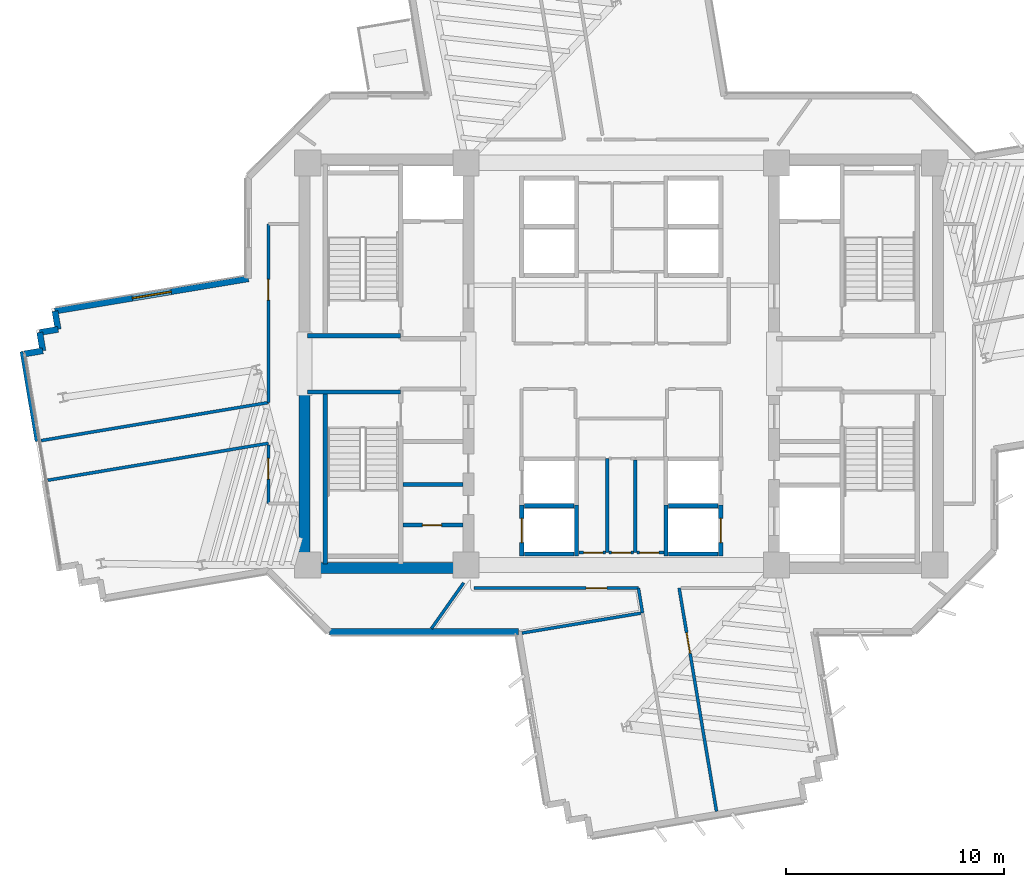
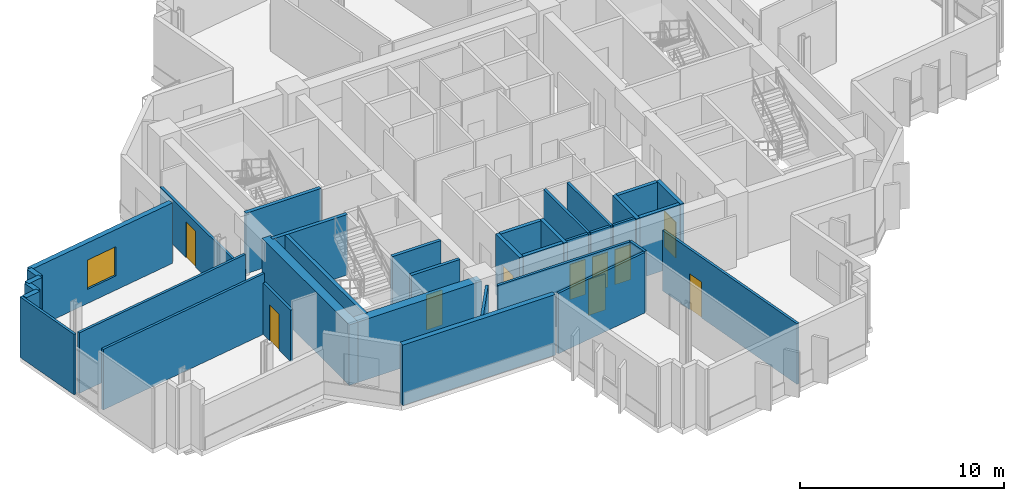
# One storey, part 7 of 15: 36 walls, 10 doors, 1 window, 11 openings.
"""IFC4 building model written with IfcOpenShell, lengths in metres."""

from ifc_helpers import new_model, si_unit, direction, frame, frame_2d, origin, place, context, subcontext, project, spatial, rectangle, extrude, source, transform, mapped, material, layer, layer_set, type_object, element, fill, save


model = new_model("IFC4")

# Units and contexts
model_context = context("Model", 3, precision=1e-05, world=origin(), true_north=direction((0.0, 1.0)))
body_context = subcontext(model_context, "Body", "Model", "MODEL_VIEW")
ifc_project = project(units=[si_unit("LENGTHUNIT", "METRE"), si_unit("AREAUNIT", "SQUARE_METRE"), si_unit("VOLUMEUNIT", "CUBIC_METRE"), si_unit("PLANEANGLEUNIT", "RADIAN"), si_unit("MASSUNIT", "GRAM", prefix="KILO")], contexts=[model_context])

# Site, building, storey
site_placement = place(None, origin())
site = spatial("IfcSite", under=ifc_project, at=site_placement, CompositionType="ELEMENT")
building_placement = place(site_placement, origin())
building = spatial("IfcBuilding", under=site, at=building_placement, Name="Zahravan Cultural Tower", CompositionType="ELEMENT")
storey_placement = place(building_placement, frame((0.0, 0.0, 139.5)))
storey = spatial("IfcBuildingStorey", under=building, at=storey_placement, Name="L31", CompositionType="ELEMENT", Elevation=139.5)

# Wall, opening, window
ifc_material_1 = material(Name="Precast concrete C40/50", Category="concrete")
ifc_layer_1 = layer(ifc_material_1, 0.280029296875)
ifc_layer_set_1 = layer_set([ifc_layer_1], Name="Precast concrete C40/50")
wall_type_1 = type_object("IfcWallType", Name="EW-TC-280", PredefinedType="SOLIDWALL", material=ifc_layer_set_1)
wall_1_placement = place(storey_placement, frame((10.0859375, 29.416015625, 0.0), z_axis=(0.0, 0.0, 1.0), x_axis=(0.98628492446, 0.165051651865, 0.0)))
wall_1 = element("IfcWall", 1, at=wall_1_placement, inside=storey, type_object=wall_type_1, Name="L31 Exterior Masonry Frame Wall 36", PredefinedType="SOLIDWALL", context=body_context, shape_type="SweptSolid", body=[
    extrude(rectangle(XDim=8.97705078125, YDim=0.280029296875, at=frame_2d((4.488525390625, 0.0))), origin(), (0.0, 0.0, 1.0), 3.6201171875),
])
opening_1_placement = place(wall_1_placement, frame((3.589111328125, 0.0, 0.85009765625)))
opening_1 = element("IfcOpeningElement", 2, at=opening_1_placement, cuts=wall_1, Name="Opening WN-02", PredefinedType="OPENING", context=body_context, shape_type="SweptSolid", body=[
    extrude(rectangle(XDim=1.800048828125, YDim=1.75, at=frame_2d((0.89990234375, 0.875))), frame((0.0, 0.14990234375, 0.0), z_axis=(0.0, -1.0, 0.0), x_axis=(1.0, 0.0, 0.0)), (0.0, 0.0, 1.0), 0.300048828125),
])
ifc_material_2 = material(Name="Low-E solar-control double glazing", Category="glass")
window_type = type_object("IfcWindowType", Name="WN-REC-1800X1750", PartitioningType="DOUBLE_PANEL_VERTICAL", PredefinedType="WINDOW", material=ifc_material_2)
shared_shape_1 = source(origin(), body_context, "Body", "SweptSolid", [
    extrude(rectangle(XDim=1.800048828125, YDim=1.75, at=frame_2d((0.89990234375, 0.875))), frame((0.0, 0.030029296875, 0.0), z_axis=(0.0, -1.0, 0.0), x_axis=(1.0, 0.0, 0.0)), (0.0, 0.0, 1.0), 0.06005859375),
])
window_placement = place(opening_1_placement, origin())
window = element("IfcWindow", 3, at=window_placement, inside=storey, type_object=window_type, Name="L31 Recessed Solar Window 07", OverallHeight=1.75, OverallWidth=1.800048828125, PartitioningType="DOUBLE_PANEL_VERTICAL", PredefinedType="WINDOW", context=body_context, shape_type="MappedRepresentation", body=[
    mapped(shared_shape_1, transform((0.0, 0.0, 0.0), x_axis=(1.0, 0.0, 0.0), y_axis=(0.0, 1.0, 0.0), z_axis=(0.0, 0.0, 1.0), scale=1.0)),
])
fill(opening_1, window)

# Wall, opening, door
ifc_material_3 = material(Name="Gypsum plasterboard partition")
ifc_layer_2 = layer(ifc_material_3, 0.179931640625)
ifc_layer_set_2 = layer_set([ifc_layer_2], Name="Gypsum plasterboard partition")
wall_type_2 = type_object("IfcWallType", Name="W-COMP-180", PredefinedType="PARTITIONING", material=ifc_layer_set_2)
wall_2_placement = place(storey_placement, frame((26.0, 19.6201171875, 0.0), z_axis=(0.0, 0.0, 1.0), x_axis=(1.0, 0.0, 0.0)))
wall_2 = element("IfcWall", 4, at=wall_2_placement, inside=storey, type_object=wall_type_2, Name="L31 Interior Wall 026", PredefinedType="PARTITIONING", context=body_context, shape_type="SweptSolid", body=[
    extrude(rectangle(XDim=2.75, YDim=0.179931640625, at=frame_2d((1.375, 0.0))), origin(), (0.0, 0.0, 1.0), 3.6201171875),
])
opening_2_placement = place(wall_2_placement, frame((0.89990234375, 0.0, 0.0)))
opening_2 = element("IfcOpeningElement", 5, at=opening_2_placement, cuts=wall_2, Name="Opening D-L31-09", PredefinedType="OPENING", context=body_context, shape_type="SweptSolid", body=[
    extrude(rectangle(XDim=0.8798828125, YDim=2.10009765625, at=frame_2d((0.43994140625, 1.050048828125))), frame((0.0, 0.099853515625, 0.0), z_axis=(0.0, -1.0, 0.0), x_axis=(1.0, 0.0, 0.0)), (0.0, 0.0, 1.0), 0.199951171875),
])
ifc_material_4 = material(Name="Steel ASTM A572 Grade 50", Category="steel")
door_type_1 = type_object("IfcDoorType", Name="DR-SVC-880", OperationType="NOTDEFINED", PredefinedType="DOOR", material=ifc_material_4)
shared_shape_2 = source(origin(), body_context, "Body", "SweptSolid", [
    extrude(rectangle(XDim=0.8798828125, YDim=2.10009765625, at=frame_2d((0.43994140625, 1.050048828125))), frame((0.0, 0.02490234375, 0.0), z_axis=(0.0, -1.0, 0.0), x_axis=(1.0, 0.0, 0.0)), (0.0, 0.0, 1.0), 0.050048828125),
])
door_1_placement = place(opening_2_placement, origin())
door_1 = element("IfcDoor", 6, at=door_1_placement, inside=storey, type_object=door_type_1, Name="L31 Door D-L31-09", OperationType="SINGLE_SWING_LEFT", OverallHeight=2.10009765625, OverallWidth=0.8798828125, PredefinedType="DOOR", context=body_context, shape_type="MappedRepresentation", body=[
    mapped(shared_shape_2, transform((0.0, 0.0, 0.0), x_axis=(1.0, 0.0, 0.0), y_axis=(0.0, 1.0, 0.0), z_axis=(0.0, 0.0, 1.0), scale=1.0)),
])
fill(opening_2, door_1)

ifc_layer_3 = layer(ifc_material_3, 0.139892578125)
ifc_layer_set_3 = layer_set([ifc_layer_3], Name="Gypsum plasterboard partition")
wall_type_3 = type_object("IfcWallType", Name="W-PART-140", PredefinedType="PARTITIONING", material=ifc_layer_set_3)
wall_3_placement = place(storey_placement, frame((36.56494140625, 18.360107421875, 0.0), z_axis=(0.0, 0.0, 1.0), x_axis=(-1.0, 0.0, 0.0)))
wall_3 = element("IfcWall", 7, at=wall_3_placement, inside=storey, type_object=wall_type_3, Name="L31 Interior Wall 065", PredefinedType="PARTITIONING", context=body_context, shape_type="SweptSolid", body=[
    extrude(rectangle(XDim=1.1298828125, YDim=0.139892578125, at=frame_2d((0.56494140625, 0.0))), origin(), (0.0, 0.0, 1.0), 3.6201171875),
])
opening_3_placement = place(wall_3_placement, frame((0.125, 0.0, 0.0)))
opening_3 = element("IfcOpeningElement", 8, at=opening_3_placement, cuts=wall_3, Name="Opening D-L31-21", PredefinedType="OPENING", context=body_context, shape_type="SweptSolid", body=[
    extrude(rectangle(XDim=0.8798828125, YDim=2.10009765625, at=frame_2d((0.43994140625, 1.050048828125))), frame((0.0, 0.079833984375, 0.0), z_axis=(0.0, -1.0, 0.0), x_axis=(1.0, 0.0, 0.0)), (0.0, 0.0, 1.0), 0.159912109375),
])
ifc_material_5 = material(Name="Anodised bronze-aluminium mullion", Category="aluminium")
door_type_2 = type_object("IfcDoorType", Name="DR-ROOM-880", OperationType="NOTDEFINED", PredefinedType="DOOR", material=ifc_material_5)
door_2_placement = place(opening_3_placement, origin())
door_2 = element("IfcDoor", 9, at=door_2_placement, inside=storey, type_object=door_type_2, Name="L31 Door D-L31-21", OperationType="SINGLE_SWING_LEFT", OverallHeight=2.10009765625, OverallWidth=0.8798828125, PredefinedType="DOOR", context=body_context, shape_type="MappedRepresentation", body=[
    mapped(shared_shape_2, transform((0.0, 0.0, 0.0), x_axis=(1.0, 0.0, 0.0), y_axis=(0.0, 1.0, 0.0), z_axis=(0.0, 0.0, 1.0), scale=1.0)),
])
fill(opening_3, door_2)

wall_4_placement = place(storey_placement, frame((35.284912109375, 18.360107421875, 0.0), z_axis=(0.0, 0.0, 1.0), x_axis=(-1.0, 0.0, 0.0)))
wall_4 = element("IfcWall", 10, at=wall_4_placement, inside=storey, type_object=wall_type_3, Name="L31 Interior Wall 067", PredefinedType="PARTITIONING", context=body_context, shape_type="SweptSolid", body=[
    extrude(rectangle(XDim=1.22998046875, YDim=0.139892578125, at=frame_2d((0.614990234375, 0.0))), origin(), (0.0, 0.0, 1.0), 3.6201171875),
])
opening_4_placement = place(wall_4_placement, frame((0.12255859375, 0.0, 0.0)))
opening_4 = element("IfcOpeningElement", 11, at=opening_4_placement, cuts=wall_4, Name="Opening D-L31-20", PredefinedType="OPENING", context=body_context, shape_type="SweptSolid", body=[
    extrude(rectangle(XDim=0.8798828125, YDim=2.10009765625, at=frame_2d((0.43994140625, 1.050048828125))), frame((0.0, 0.079833984375, 0.0), z_axis=(0.0, -1.0, 0.0), x_axis=(1.0, 0.0, 0.0)), (0.0, 0.0, 1.0), 0.159912109375),
])
door_3_placement = place(opening_4_placement, origin())
door_3 = element("IfcDoor", 12, at=door_3_placement, inside=storey, type_object=door_type_2, Name="L31 Door D-L31-20", OperationType="SINGLE_SWING_RIGHT", OverallHeight=2.10009765625, OverallWidth=0.8798828125, PredefinedType="DOOR", context=body_context, shape_type="MappedRepresentation", body=[
    mapped(shared_shape_2, transform((0.0, 0.0, 0.0), x_axis=(1.0, 0.0, 0.0), y_axis=(0.0, 1.0, 0.0), z_axis=(0.0, 0.0, 1.0), scale=1.0)),
])
fill(opening_4, door_3)

wall_5_placement = place(storey_placement, frame((37.945068359375, 18.360107421875, 0.0), z_axis=(0.0, 0.0, 1.0), x_axis=(-1.0, 0.0, 0.0)))
wall_5 = element("IfcWall", 13, at=wall_5_placement, inside=storey, type_object=wall_type_3, Name="L31 Interior Wall 069", PredefinedType="PARTITIONING", context=body_context, shape_type="SweptSolid", body=[
    extrude(rectangle(XDim=1.22998046875, YDim=0.139892578125, at=frame_2d((0.614990234375, 0.0))), origin(), (0.0, 0.0, 1.0), 3.6201171875),
])
opening_5_placement = place(wall_5_placement, frame((0.2275390625, 0.0, 0.0)))
opening_5 = element("IfcOpeningElement", 14, at=opening_5_placement, cuts=wall_5, Name="Opening D-L31-22", PredefinedType="OPENING", context=body_context, shape_type="SweptSolid", body=[
    extrude(rectangle(XDim=0.8798828125, YDim=2.10009765625, at=frame_2d((0.43994140625, 1.050048828125))), frame((0.0, 0.079833984375, 0.0), z_axis=(0.0, -1.0, 0.0), x_axis=(1.0, 0.0, 0.0)), (0.0, 0.0, 1.0), 0.159912109375),
])
door_4_placement = place(opening_5_placement, origin())
door_4 = element("IfcDoor", 15, at=door_4_placement, inside=storey, type_object=door_type_2, Name="L31 Door D-L31-22", OperationType="SINGLE_SWING_RIGHT", OverallHeight=2.10009765625, OverallWidth=0.8798828125, PredefinedType="DOOR", context=body_context, shape_type="MappedRepresentation", body=[
    mapped(shared_shape_2, transform((0.0, 0.0, 0.0), x_axis=(1.0, 0.0, 0.0), y_axis=(0.0, 1.0, 0.0), z_axis=(0.0, 0.0, 1.0), scale=1.0)),
])
fill(opening_5, door_4)

wall_6_placement = place(storey_placement, frame((29.257568359375, 16.740234375, 0.0), z_axis=(0.0, 0.0, 1.0), x_axis=(0.999999999474, -3.2436991e-05, 0.0)))
wall_6 = element("IfcWall", 16, at=wall_6_placement, inside=storey, type_object=wall_type_3, Name="L31 Interior Wall 088", PredefinedType="PARTITIONING", context=body_context, shape_type="SweptSolid", body=[
    extrude(rectangle(XDim=7.526611328125, YDim=0.139892578125, at=frame_2d((3.76318359375, 0.0))), origin(), (0.0, 0.0, 1.0), 3.6201171875),
])
opening_6_placement = place(wall_6_placement, frame((5.129638671875, 0.0, 0.0)))
opening_6 = element("IfcOpeningElement", 17, at=opening_6_placement, cuts=wall_6, Name="Opening D-L31-27", PredefinedType="OPENING", context=body_context, shape_type="SweptSolid", body=[
    extrude(rectangle(XDim=0.949951171875, YDim=2.14990234375, at=frame_2d((0.47509765625, 1.074951171875))), frame((0.0, 0.079833984375, 0.0), z_axis=(0.0, -1.0, 0.0), x_axis=(1.0, 0.0, 0.0)), (0.0, 0.0, 1.0), 0.159912109375),
])
door_type_3 = type_object("IfcDoorType", Name="DR-ROOM-950", OperationType="NOTDEFINED", PredefinedType="DOOR", material=ifc_material_5)
shared_shape_3 = source(origin(), body_context, "Body", "SweptSolid", [
    extrude(rectangle(XDim=0.949951171875, YDim=2.14990234375, at=frame_2d((0.47509765625, 1.074951171875))), frame((0.0, 0.02490234375, 0.0), z_axis=(0.0, -1.0, 0.0), x_axis=(1.0, 0.0, 0.0)), (0.0, 0.0, 1.0), 0.050048828125),
])
door_5_placement = place(opening_6_placement, origin())
door_5 = element("IfcDoor", 18, at=door_5_placement, inside=storey, type_object=door_type_3, Name="L31 Door D-L31-27", OperationType="SINGLE_SWING_LEFT", OverallHeight=2.14990234375, OverallWidth=0.949951171875, PredefinedType="DOOR", context=body_context, shape_type="MappedRepresentation", body=[
    mapped(shared_shape_3, transform((0.0, 0.0, 0.0), x_axis=(1.0, 0.0, 0.0), y_axis=(0.0, 1.0, 0.0), z_axis=(0.0, 0.0, 1.0), scale=1.0)),
])
fill(opening_6, door_5)

wall_7_placement = place(storey_placement, frame((19.853759765625, 33.3994140625, 0.0), z_axis=(0.0, 0.0, 1.0), x_axis=(-0.000448283031, -0.999999899521, 0.0)))
wall_7 = element("IfcWall", 19, at=wall_7_placement, inside=storey, type_object=wall_type_3, Name="L31 Interior Wall 093", PredefinedType="PARTITIONING", context=body_context, shape_type="SweptSolid", body=[
    extrude(rectangle(XDim=8.169189453125, YDim=0.139892578125, at=frame_2d((4.08447265625, 0.0))), origin(), (0.0, 0.0, 1.0), 2.693115234375),
])
opening_7_placement = place(wall_7_placement, frame((2.52685546875, 0.0, 0.0)))
opening_7 = element("IfcOpeningElement", 20, at=opening_7_placement, cuts=wall_7, Name="Opening D-L31-25", PredefinedType="OPENING", context=body_context, shape_type="SweptSolid", body=[
    extrude(rectangle(XDim=0.949951171875, YDim=2.14990234375, at=frame_2d((0.47509765625, 1.074951171875))), frame((0.0, 0.079833984375, 0.0), z_axis=(0.0, -1.0, 0.0), x_axis=(1.0, 0.0, 0.0)), (0.0, 0.0, 1.0), 0.159912109375),
])
door_6_placement = place(opening_7_placement, origin())
door_6 = element("IfcDoor", 21, at=door_6_placement, inside=storey, type_object=door_type_3, Name="L31 Door D-L31-25", OperationType="SINGLE_SWING_LEFT", OverallHeight=2.14990234375, OverallWidth=0.949951171875, PredefinedType="DOOR", context=body_context, shape_type="MappedRepresentation", body=[
    mapped(shared_shape_3, transform((0.0, 0.0, 0.0), x_axis=(1.0, 0.0, 0.0), y_axis=(0.0, 1.0, 0.0), z_axis=(0.0, 0.0, 1.0), scale=1.0)),
])
fill(opening_7, door_6)

wall_8_placement = place(storey_placement, frame((40.359375, 6.523681640625, 0.0), z_axis=(0.0, 0.0, 1.0), x_axis=(-0.165056345303, 0.986284139016, 0.0)))
wall_8 = element("IfcWall", 22, at=wall_8_placement, inside=storey, type_object=wall_type_3, Name="L31 Interior Wall 098", PredefinedType="PARTITIONING", context=body_context, shape_type="SweptSolid", body=[
    extrude(rectangle(XDim=10.3583984375, YDim=0.139892578125, at=frame_2d((5.17919921875, 0.0))), origin(), (0.0, 0.0, 1.0), 3.6201171875),
])
opening_8_placement = place(wall_8_placement, frame((7.33837890625, 0.0, 0.0)))
opening_8 = element("IfcOpeningElement", 23, at=opening_8_placement, cuts=wall_8, Name="Opening D-L31-29", PredefinedType="OPENING", context=body_context, shape_type="SweptSolid", body=[
    extrude(rectangle(XDim=0.949951171875, YDim=2.14990234375, at=frame_2d((0.47509765625, 1.074951171875))), frame((0.0, 0.079833984375, 0.0), z_axis=(0.0, -1.0, 0.0), x_axis=(1.0, 0.0, 0.0)), (0.0, 0.0, 1.0), 0.159912109375),
])
door_7_placement = place(opening_8_placement, origin())
door_7 = element("IfcDoor", 24, at=door_7_placement, inside=storey, type_object=door_type_3, Name="L31 Door D-L31-29", OperationType="SINGLE_SWING_LEFT", OverallHeight=2.14990234375, OverallWidth=0.949951171875, PredefinedType="DOOR", context=body_context, shape_type="MappedRepresentation", body=[
    mapped(shared_shape_3, transform((0.0, 0.0, 0.0), x_axis=(1.0, 0.0, 0.0), y_axis=(0.0, 1.0, 0.0), z_axis=(0.0, 0.0, 1.0), scale=1.0)),
])
fill(opening_8, door_7)

wall_9_placement = place(storey_placement, frame((19.85009765625, 23.28857421875, 0.0), z_axis=(0.0, 0.0, 1.0), x_axis=(0.000363372069, -0.99999993398, 0.0)))
wall_9 = element("IfcWall", 25, at=wall_9_placement, inside=storey, type_object=wall_type_3, Name="L31 Interior Wall 103", PredefinedType="PARTITIONING", context=body_context, shape_type="SweptSolid", body=[
    extrude(rectangle(XDim=2.6875, YDim=0.139892578125, at=frame_2d((1.34375, 0.0))), origin(), (0.0, 0.0, 1.0), 3.0791015625),
])
opening_9_placement = place(wall_9_placement, frame((0.608154296875, 0.0, 0.0)))
opening_9 = element("IfcOpeningElement", 26, at=opening_9_placement, cuts=wall_9, Name="Opening D-L31-26", PredefinedType="OPENING", context=body_context, shape_type="SweptSolid", body=[
    extrude(rectangle(XDim=0.949951171875, YDim=2.14990234375, at=frame_2d((0.47509765625, 1.074951171875))), frame((0.0, 0.079833984375, 0.0), z_axis=(0.0, -1.0, 0.0), x_axis=(1.0, 0.0, 0.0)), (0.0, 0.0, 1.0), 0.159912109375),
])
door_8_placement = place(opening_9_placement, origin())
door_8 = element("IfcDoor", 27, at=door_8_placement, inside=storey, type_object=door_type_3, Name="L31 Door D-L31-26", OperationType="SINGLE_SWING_RIGHT", OverallHeight=2.14990234375, OverallWidth=0.949951171875, PredefinedType="DOOR", context=body_context, shape_type="MappedRepresentation", body=[
    mapped(shared_shape_3, transform((0.0, 0.0, 0.0), x_axis=(1.0, 0.0, 0.0), y_axis=(0.0, 1.0, 0.0), z_axis=(0.0, 0.0, 1.0), scale=1.0)),
])
fill(opening_9, door_8)

ifc_material_6 = material(Name="Concrete C45/55", Category="concrete")
ifc_layer_4 = layer(ifc_material_6, 0.199951171875)
ifc_layer_set_4 = layer_set([ifc_layer_4], Name="Concrete C45/55")
wall_type_4 = type_object("IfcWallType", Name="W-SHAFT-200", PredefinedType="SOLIDWALL", material=ifc_layer_set_4)
wall_10_placement = place(storey_placement, frame((31.449951171875, 18.199951171875, 0.0), z_axis=(0.0, 0.0, 1.0), x_axis=(0.0, 1.0, 0.0)))
wall_10 = element("IfcWall", 28, at=wall_10_placement, inside=storey, type_object=wall_type_4, Name="L31 Interior Wall 047", PredefinedType="SOLIDWALL", context=body_context, shape_type="SweptSolid", body=[
    extrude(rectangle(XDim=2.35009765625, YDim=0.199951171875, at=frame_2d((1.175048828125, 0.0))), origin(), (0.0, 0.0, 1.0), 3.6201171875),
])
opening_10_placement = place(wall_10_placement, frame((0.625, 0.0, 0.0)))
opening_10 = element("IfcOpeningElement", 29, at=opening_10_placement, cuts=wall_10, Name="Opening LD-L31-05", PredefinedType="OPENING", context=body_context, shape_type="SweptSolid", body=[
    extrude(rectangle(XDim=1.10009765625, YDim=2.14990234375, at=frame_2d((0.550048828125, 1.074951171875))), frame((0.0, 0.10986328125, 0.0), z_axis=(0.0, -1.0, 0.0), x_axis=(1.0, 0.0, 0.0)), (0.0, 0.0, 1.0), 0.219970703125),
])
door_type_4 = type_object("IfcDoorType", Name="DR-LIFT-1100", OperationType="DOUBLE_DOOR_SLIDING", PredefinedType="DOOR", material=ifc_material_4)
shared_shape_4 = source(origin(), body_context, "Body", "SweptSolid", [
    extrude(rectangle(XDim=1.10009765625, YDim=2.14990234375, at=frame_2d((0.550048828125, 1.074951171875))), frame((0.0, 0.02490234375, 0.0), z_axis=(0.0, -1.0, 0.0), x_axis=(1.0, 0.0, 0.0)), (0.0, 0.0, 1.0), 0.050048828125),
])
door_9_placement = place(opening_10_placement, origin())
door_9 = element("IfcDoor", 30, at=door_9_placement, inside=storey, type_object=door_type_4, Name="L31 Door LD-L31-05", OperationType="DOUBLE_DOOR_SLIDING", OverallHeight=2.14990234375, OverallWidth=1.10009765625, PredefinedType="DOOR", context=body_context, shape_type="MappedRepresentation", body=[
    mapped(shared_shape_4, transform((0.0, 0.0, 0.0), x_axis=(1.0, 0.0, 0.0), y_axis=(0.0, 1.0, 0.0), z_axis=(0.0, 0.0, 1.0), scale=1.0)),
])
fill(opening_10, door_9)

wall_11_placement = place(storey_placement, frame((40.550048828125, 18.199951171875, 0.0), z_axis=(0.0, 0.0, 1.0), x_axis=(0.0, 1.0, 0.0)))
wall_11 = element("IfcWall", 31, at=wall_11_placement, inside=storey, type_object=wall_type_4, Name="L31 Interior Wall 055", PredefinedType="SOLIDWALL", context=body_context, shape_type="SweptSolid", body=[
    extrude(rectangle(XDim=2.35009765625, YDim=0.199951171875, at=frame_2d((1.175048828125, 0.0))), origin(), (0.0, 0.0, 1.0), 3.6201171875),
])
opening_11_placement = place(wall_11_placement, frame((0.625, 0.0, 0.0)))
opening_11 = element("IfcOpeningElement", 32, at=opening_11_placement, cuts=wall_11, Name="Opening LD-L31-07", PredefinedType="OPENING", context=body_context, shape_type="SweptSolid", body=[
    extrude(rectangle(XDim=1.10009765625, YDim=2.14990234375, at=frame_2d((0.550048828125, 1.074951171875))), frame((0.0, 0.10986328125, 0.0), z_axis=(0.0, -1.0, 0.0), x_axis=(1.0, 0.0, 0.0)), (0.0, 0.0, 1.0), 0.219970703125),
])
door_10_placement = place(opening_11_placement, origin())
door_10 = element("IfcDoor", 33, at=door_10_placement, inside=storey, type_object=door_type_4, Name="L31 Door LD-L31-07", OperationType="DOUBLE_DOOR_SLIDING", OverallHeight=2.14990234375, OverallWidth=1.10009765625, PredefinedType="DOOR", context=body_context, shape_type="MappedRepresentation", body=[
    mapped(shared_shape_4, transform((0.0, 0.0, 0.0), x_axis=(1.0, 0.0, 0.0), y_axis=(0.0, 1.0, 0.0), z_axis=(0.0, 0.0, 1.0), scale=1.0)),
])
fill(opening_11, door_10)

# Walls
ifc_material_7 = material(Name="Concrete C60/75", Category="concrete")
ifc_layer_5 = layer(ifc_material_7, 0.5)
ifc_layer_set_5 = layer_set([ifc_layer_5], Name="Concrete C60/75")
wall_type_5 = type_object("IfcWallType", Name="CW-SHEAR-500-C60", PredefinedType="SHEAR", material=ifc_layer_set_5)
shared_shape_5 = source(origin(), body_context, "Body", "SweptSolid", [
    extrude(rectangle(XDim=8.550048828125, YDim=0.5, at=frame_2d((4.27490234375, 0.0))), origin(), (0.0, 0.0, 1.0), 3.6201171875),
])
wall_12_placement = place(storey_placement, frame((21.5, 17.39990234375, 0.0), z_axis=(0.0, 0.0, 1.0), x_axis=(0.0, 1.0, 0.0)))
element("IfcWall", 34, at=wall_12_placement, inside=storey, type_object=wall_type_5, Name="L31 Core Shear Wall CW-W-WS-L31", PredefinedType="SHEAR", context=body_context, shape_type="MappedRepresentation", body=[
    mapped(shared_shape_5, transform((0.0, 0.0, 0.0), x_axis=(1.0, 0.0, 0.0), y_axis=(0.0, 1.0, 0.0), z_axis=(0.0, 0.0, 1.0), scale=1.0)),
])
shared_shape_6 = source(origin(), body_context, "Body", "SweptSolid", [
    extrude(rectangle(XDim=7.0, YDim=0.5, at=frame_2d((3.5, 0.0))), origin(), (0.0, 0.0, 1.0), 3.6201171875),
])
wall_13_placement = place(storey_placement, frame((21.75, 17.64990234375, 0.0), z_axis=(0.0, 0.0, 1.0), x_axis=(1.0, 0.0, 0.0)))
element("IfcWall", 35, at=wall_13_placement, inside=storey, type_object=wall_type_5, Name="L31 Core Shear Wall CW-W-S-L31", PredefinedType="SHEAR", context=body_context, shape_type="MappedRepresentation", body=[
    mapped(shared_shape_6, transform((0.0, 0.0, 0.0), x_axis=(1.0, 0.0, 0.0), y_axis=(0.0, 1.0, 0.0), z_axis=(0.0, 0.0, 1.0), scale=1.0)),
])
shared_shape_7 = source(origin(), body_context, "Body", "SweptSolid", [
    extrude(rectangle(XDim=0.85009765625, YDim=0.280029296875, at=frame_2d((0.425048828125, 0.0))), origin(), (0.0, 0.0, 1.0), 3.6201171875),
])
for number, where, z_axis, x_axis, name in (
    (36, (8.689697265625, 27.458740234375, 0.0), (0.0, 0.0, 1.0), (0.986269444653, 0.16514412658, 0.0), "L31 Exterior Masonry Frame Wall 32"),
    (37, (9.528076171875, 27.59912109375, 0.0), (0.0, 0.0, 1.0), (-0.16514412658, 0.986269444653, 0.0), "L31 Exterior Masonry Frame Wall 33"),
    (38, (9.3876953125, 28.4375, 0.0), (0.0, 0.0, 1.0), (0.986316186628, 0.164864732418, 0.0), "L31 Exterior Masonry Frame Wall 34"),
    (39, (10.22607421875, 28.57763671875, 0.0), (0.0, 0.0, 1.0), (-0.164864732418, 0.986316186628, 0.0), "L31 Exterior Masonry Frame Wall 35"),
):
    element("IfcWall", number, at=place(storey_placement, frame(where, z_axis=z_axis, x_axis=x_axis)), inside=storey, type_object=wall_type_1, Name=name, PredefinedType="SOLIDWALL", context=body_context, shape_type="MappedRepresentation", body=[
        mapped(shared_shape_7, transform((0.0, 0.0, 0.0), x_axis=(1.0, 0.0, 0.0), y_axis=(0.0, 1.0, 0.0), z_axis=(0.0, 0.0, 1.0), scale=1.0)),
    ])
shared_shape_8 = source(origin(), body_context, "Body", "SweptSolid", [
    extrude(rectangle(XDim=8.64111328125, YDim=0.280029296875, at=frame_2d((4.320556640625, 0.0))), origin(), (0.0, 0.0, 1.0), 3.6201171875),
])
wall_14_placement = place(storey_placement, frame((31.299072265625, 14.739990234375, 0.0), z_axis=(0.0, 0.0, 1.0), x_axis=(-1.0, 0.0, 0.0)))
element("IfcWall", 40, at=wall_14_placement, inside=storey, type_object=wall_type_1, Name="L31 Exterior Masonry Frame Wall 25", PredefinedType="SOLIDWALL", context=body_context, shape_type="MappedRepresentation", body=[
    mapped(shared_shape_8, transform((0.0, 0.0, 0.0), x_axis=(1.0, 0.0, 0.0), y_axis=(0.0, 1.0, 0.0), z_axis=(0.0, 0.0, 1.0), scale=1.0)),
])
shared_shape_9 = source(origin(), body_context, "Body", "SweptSolid", [
    extrude(rectangle(XDim=7.869873046875, YDim=0.199951171875, at=frame_2d((3.93505859375, 0.0))), origin(), (0.0, 0.0, 1.0), 3.6201171875),
])
wall_15_placement = place(storey_placement, frame((22.449951171875, 17.85009765625, 0.0), z_axis=(0.0, 0.0, 1.0), x_axis=(0.0, 1.0, 0.0)))
element("IfcWall", 41, at=wall_15_placement, inside=storey, type_object=wall_type_4, Name="L31 Interior Wall 001", PredefinedType="SOLIDWALL", context=body_context, shape_type="MappedRepresentation", body=[
    mapped(shared_shape_9, transform((0.0, 0.0, 0.0), x_axis=(1.0, 0.0, 0.0), y_axis=(0.0, 1.0, 0.0), z_axis=(0.0, 0.0, 1.0), scale=1.0)),
])
shared_shape_10 = source(origin(), body_context, "Body", "SweptSolid", [
    extrude(rectangle(XDim=4.25, YDim=0.199951171875, at=frame_2d((2.125, 0.0))), origin(), (0.0, 0.0, 1.0), 3.6201171875),
])
for number, where, z_axis, x_axis, name in (
    (42, (21.64990234375, 25.715087890625, 0.0), (0.0, 0.0, 1.0), (1.0, 0.0, 0.0), "L31 Interior Wall 009"),
    (43, (21.64990234375, 28.284912109375, 0.0), (0.0, 0.0, 1.0), (1.0, 0.0, 0.0), "L31 Interior Wall 011"),
):
    element("IfcWall", number, at=place(storey_placement, frame(where, z_axis=z_axis, x_axis=x_axis)), inside=storey, type_object=wall_type_4, Name=name, PredefinedType="SOLIDWALL", context=body_context, shape_type="MappedRepresentation", body=[
        mapped(shared_shape_10, transform((0.0, 0.0, 0.0), x_axis=(1.0, 0.0, 0.0), y_axis=(0.0, 1.0, 0.0), z_axis=(0.0, 0.0, 1.0), scale=1.0)),
    ])
shared_shape_11 = source(origin(), body_context, "Body", "SweptSolid", [
    extrude(rectangle(XDim=2.75, YDim=0.179931640625, at=frame_2d((1.375, 0.0))), origin(), (0.0, 0.0, 1.0), 3.6201171875),
])
wall_16_placement = place(storey_placement, frame((26.0, 21.47998046875, 0.0), z_axis=(0.0, 0.0, 1.0), x_axis=(1.0, 0.0, 0.0)))
element("IfcWall", 44, at=wall_16_placement, inside=storey, type_object=wall_type_2, Name="L31 Interior Wall 027", PredefinedType="PARTITIONING", context=body_context, shape_type="MappedRepresentation", body=[
    mapped(shared_shape_11, transform((0.0, 0.0, 0.0), x_axis=(1.0, 0.0, 0.0), y_axis=(0.0, 1.0, 0.0), z_axis=(0.0, 0.0, 1.0), scale=1.0)),
])
shared_shape_12 = source(origin(), body_context, "Body", "SweptSolid", [
    extrude(rectangle(XDim=2.260009765625, YDim=0.199951171875, at=frame_2d((1.1298828125, 0.0))), origin(), (0.0, 0.0, 1.0), 3.6201171875),
])
for number, where, z_axis, x_axis, name in (
    (45, (31.570068359375, 20.5, 0.0), (0.0, 0.0, 1.0), (1.0, 0.0, 0.0), "L31 Interior Wall 045"),
    (46, (31.570068359375, 18.300048828125, 0.0), (0.0, 0.0, 1.0), (1.0, 0.0, 0.0), "L31 Interior Wall 049"),
    (47, (38.169921875, 20.5, 0.0), (0.0, 0.0, 1.0), (1.0, 0.0, 0.0), "L31 Interior Wall 052"),
    (48, (38.169921875, 18.300048828125, 0.0), (0.0, 0.0, 1.0), (1.0, 0.0, 0.0), "L31 Interior Wall 056"),
):
    element("IfcWall", number, at=place(storey_placement, frame(where, z_axis=z_axis, x_axis=x_axis)), inside=storey, type_object=wall_type_4, Name=name, PredefinedType="SOLIDWALL", context=body_context, shape_type="MappedRepresentation", body=[
        mapped(shared_shape_12, transform((0.0, 0.0, 0.0), x_axis=(1.0, 0.0, 0.0), y_axis=(0.0, 1.0, 0.0), z_axis=(0.0, 0.0, 1.0), scale=1.0)),
    ])
shared_shape_13 = source(origin(), body_context, "Body", "SweptSolid", [
    extrude(rectangle(XDim=2.35009765625, YDim=0.199951171875, at=frame_2d((1.175048828125, 0.0))), origin(), (0.0, 0.0, 1.0), 3.6201171875),
])
for number, where, z_axis, x_axis, name in (
    (49, (33.949951171875, 18.199951171875, 0.0), (0.0, 0.0, 1.0), (0.0, 1.0, 0.0), "L31 Interior Wall 048"),
    (50, (38.050048828125, 18.199951171875, 0.0), (0.0, 0.0, 1.0), (0.0, 1.0, 0.0), "L31 Interior Wall 054"),
):
    element("IfcWall", number, at=place(storey_placement, frame(where, z_axis=z_axis, x_axis=x_axis)), inside=storey, type_object=wall_type_4, Name=name, PredefinedType="SOLIDWALL", context=body_context, shape_type="MappedRepresentation", body=[
        mapped(shared_shape_13, transform((0.0, 0.0, 0.0), x_axis=(1.0, 0.0, 0.0), y_axis=(0.0, 1.0, 0.0), z_axis=(0.0, 0.0, 1.0), scale=1.0)),
    ])
shared_shape_14 = source(origin(), body_context, "Body", "SweptSolid", [
    extrude(rectangle(XDim=4.31982421875, YDim=0.139892578125, at=frame_2d((2.159912109375, 0.0))), origin(), (0.0, 0.0, 1.0), 3.6201171875),
])
wall_17_placement = place(storey_placement, frame((35.360107421875, 18.360107421875, 0.0), z_axis=(0.0, 0.0, 1.0), x_axis=(0.0, 1.0, 0.0)))
element("IfcWall", 51, at=wall_17_placement, inside=storey, type_object=wall_type_3, Name="L31 Interior Wall 062", PredefinedType="PARTITIONING", context=body_context, shape_type="MappedRepresentation", body=[
    mapped(shared_shape_14, transform((0.0, 0.0, 0.0), x_axis=(1.0, 0.0, 0.0), y_axis=(0.0, 1.0, 0.0), z_axis=(0.0, 0.0, 1.0), scale=1.0)),
])
shared_shape_15 = source(origin(), body_context, "Body", "SweptSolid", [
    extrude(rectangle(XDim=4.244873046875, YDim=0.139892578125, at=frame_2d((2.12255859375, 0.0))), origin(), (0.0, 0.0, 1.0), 3.6201171875),
])
wall_18_placement = place(storey_placement, frame((36.639892578125, 22.60498046875, 0.0), z_axis=(0.0, 0.0, 1.0), x_axis=(0.0, -1.0, 0.0)))
element("IfcWall", 52, at=wall_18_placement, inside=storey, type_object=wall_type_3, Name="L31 Interior Wall 064", PredefinedType="PARTITIONING", context=body_context, shape_type="MappedRepresentation", body=[
    mapped(shared_shape_15, transform((0.0, 0.0, 0.0), x_axis=(1.0, 0.0, 0.0), y_axis=(0.0, 1.0, 0.0), z_axis=(0.0, 0.0, 1.0), scale=1.0)),
])
shared_shape_16 = source(origin(), body_context, "Body", "SweptSolid", [
    extrude(rectangle(XDim=1.1513671875, YDim=0.139892578125, at=frame_2d((0.57568359375, 0.0))), origin(), (0.0, 0.0, 1.0), 3.6201171875),
])
wall_19_placement = place(storey_placement, frame((36.7841796875, 16.739990234375, 0.0), z_axis=(0.0, 0.0, 1.0), x_axis=(0.164983559387, -0.986296317104, 0.0)))
element("IfcWall", 53, at=wall_19_placement, inside=storey, type_object=wall_type_3, Name="L31 Interior Wall 089", PredefinedType="PARTITIONING", context=body_context, shape_type="MappedRepresentation", body=[
    mapped(shared_shape_16, transform((0.0, 0.0, 0.0), x_axis=(1.0, 0.0, 0.0), y_axis=(0.0, 1.0, 0.0), z_axis=(0.0, 0.0, 1.0), scale=1.0)),
])
shared_shape_17 = source(origin(), body_context, "Body", "SweptSolid", [
    extrude(rectangle(XDim=5.52001953125, YDim=0.139892578125, at=frame_2d((2.760009765625, 0.0))), origin(), (0.0, 0.0, 1.0), 3.6201171875),
])
wall_20_placement = place(storey_placement, frame((36.900146484375, 15.592041015625, 0.0), z_axis=(0.0, 0.0, 1.0), x_axis=(-0.986290930087, -0.165015760545, 0.0)))
element("IfcWall", 54, at=wall_20_placement, inside=storey, type_object=wall_type_3, Name="L31 Interior Wall 090", PredefinedType="PARTITIONING", context=body_context, shape_type="MappedRepresentation", body=[
    mapped(shared_shape_17, transform((0.0, 0.0, 0.0), x_axis=(1.0, 0.0, 0.0), y_axis=(0.0, 1.0, 0.0), z_axis=(0.0, 0.0, 1.0), scale=1.0)),
])
shared_shape_18 = source(origin(), body_context, "Body", "SweptSolid", [
    extrude(rectangle(XDim=2.56494140625, YDim=0.139892578125, at=frame_2d((1.282470703125, 0.0))), origin(), (0.0, 0.0, 1.0), 3.6201171875),
])
wall_21_placement = place(storey_placement, frame((27.311279296875, 14.885009765625, 0.0), z_axis=(0.0, 0.0, 1.0), x_axis=(0.576926084836, 0.816796359343, 0.0)))
element("IfcWall", 55, at=wall_21_placement, inside=storey, type_object=wall_type_3, Name="L31 Interior Wall 091", PredefinedType="PARTITIONING", context=body_context, shape_type="MappedRepresentation", body=[
    mapped(shared_shape_18, transform((0.0, 0.0, 0.0), x_axis=(1.0, 0.0, 0.0), y_axis=(0.0, 1.0, 0.0), z_axis=(0.0, 0.0, 1.0), scale=1.0)),
])
shared_shape_19 = source(origin(), body_context, "Body", "SweptSolid", [
    extrude(rectangle(XDim=10.54443359375, YDim=0.139892578125, at=frame_2d((5.272216796875, 0.0))), origin(), (0.0, 0.0, 1.0), 3.6201171875),
])
wall_22_placement = place(storey_placement, frame((19.85009765625, 25.230224609375, 0.0), z_axis=(0.0, 0.0, 1.0), x_axis=(-0.986287336963, -0.165037235031, 0.0)))
element("IfcWall", 56, at=wall_22_placement, inside=storey, type_object=wall_type_3, Name="L31 Interior Wall 094", PredefinedType="PARTITIONING", context=body_context, shape_type="MappedRepresentation", body=[
    mapped(shared_shape_19, transform((0.0, 0.0, 0.0), x_axis=(1.0, 0.0, 0.0), y_axis=(0.0, 1.0, 0.0), z_axis=(0.0, 0.0, 1.0), scale=1.0)),
])
shared_shape_20 = source(origin(), body_context, "Body", "SweptSolid", [
    extrude(rectangle(XDim=4.16015625, YDim=0.139892578125, at=frame_2d((2.080078125, 0.0))), origin(), (0.0, 0.0, 1.0), 3.6201171875),
])
wall_23_placement = place(storey_placement, frame((9.238037109375, 23.454345703125, 0.0), z_axis=(0.0, 0.0, 1.0), x_axis=(-0.165027060507, 0.98628903943, 0.0)))
element("IfcWall", 57, at=wall_23_placement, inside=storey, type_object=wall_type_3, Name="L31 Interior Wall 095", PredefinedType="PARTITIONING", context=body_context, shape_type="MappedRepresentation", body=[
    mapped(shared_shape_20, transform((0.0, 0.0, 0.0), x_axis=(1.0, 0.0, 0.0), y_axis=(0.0, 1.0, 0.0), z_axis=(0.0, 0.0, 1.0), scale=1.0)),
])
shared_shape_21 = source(origin(), body_context, "Body", "SweptSolid", [
    extrude(rectangle(XDim=10.236572265625, YDim=0.139892578125, at=frame_2d((5.1181640625, 0.0))), origin(), (0.0, 0.0, 1.0), 3.6201171875),
])
wall_24_placement = place(storey_placement, frame((9.75390625, 21.67529296875, 0.0), z_axis=(0.0, 0.0, 1.0), x_axis=(0.986290594835, 0.165017764319, 0.0)))
element("IfcWall", 58, at=wall_24_placement, inside=storey, type_object=wall_type_3, Name="L31 Interior Wall 102", PredefinedType="PARTITIONING", context=body_context, shape_type="MappedRepresentation", body=[
    mapped(shared_shape_21, transform((0.0, 0.0, 0.0), x_axis=(1.0, 0.0, 0.0), y_axis=(0.0, 1.0, 0.0), z_axis=(0.0, 0.0, 1.0), scale=1.0)),
])

save(model, "model.ifc")
